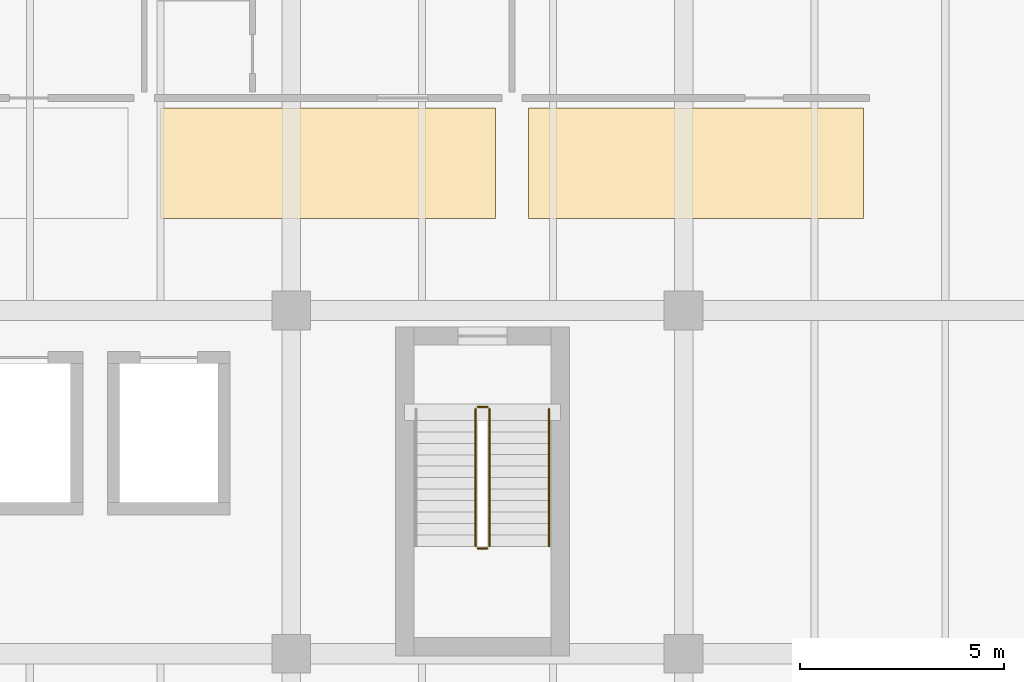
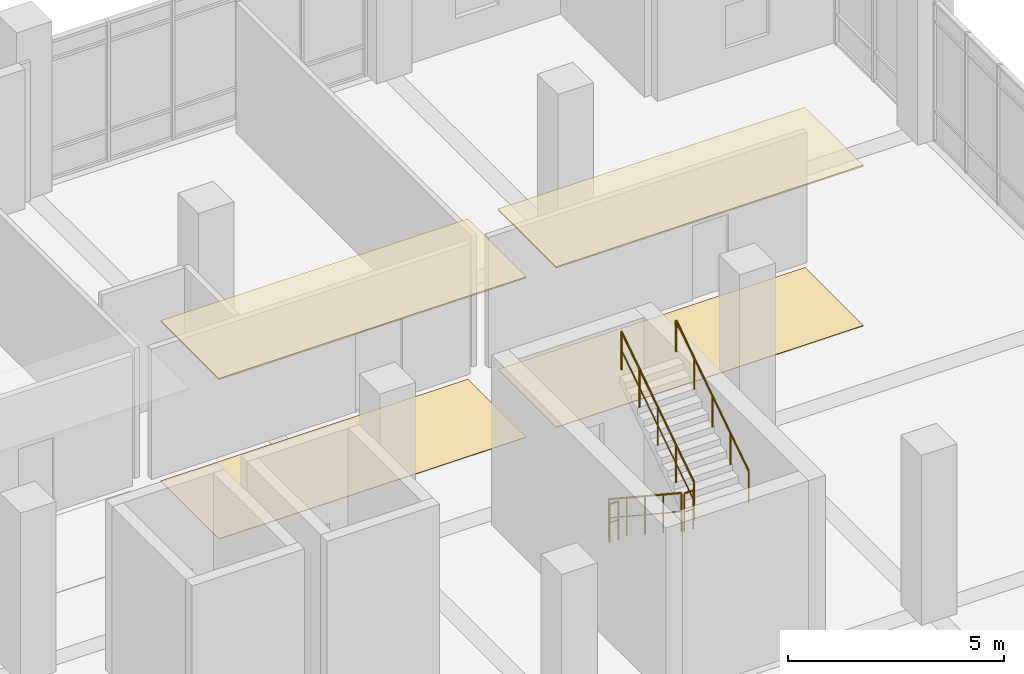
# One storey, part 151 of 152: 5 railings, 4 coverings.
"""IFC4 building model written with IfcOpenShell, lengths in metres."""

from ifc_helpers import new_model, si_unit, direction, frame, origin, origin_2d, place, context, subcontext, project, spatial, polyline, circle, outline, extrude, material, layer, layer_set, type_object, element, save


model = new_model("IFC4")

# Units and contexts
model_context = context("Model", 3, precision=1e-05, world=origin(), true_north=direction((0.0, 1.0)))
body_context = subcontext(model_context, "Body", "Model", "MODEL_VIEW")
ifc_project = project(units=[si_unit("LENGTHUNIT", "METRE"), si_unit("AREAUNIT", "SQUARE_METRE"), si_unit("VOLUMEUNIT", "CUBIC_METRE"), si_unit("PLANEANGLEUNIT", "RADIAN"), si_unit("MASSUNIT", "GRAM", prefix="KILO")], contexts=[model_context])

# Site, building, storey
site_placement = place(None, origin())
site = spatial("IfcSite", under=ifc_project, at=site_placement, CompositionType="ELEMENT")
building_placement = place(site_placement, origin())
building = spatial("IfcBuilding", under=site, at=building_placement, Name="Oolite Switchyard Hospital", CompositionType="ELEMENT")
storey_placement = place(building_placement, frame((0.0, 0.0, 5.10009765625)))
storey = spatial("IfcBuildingStorey", under=building, at=storey_placement, Name="L01", CompositionType="ELEMENT", Elevation=5.10009765625)

# Coverings
ifc_material_1 = material(Name="Hygienic washable mineral-fibre acoustic ceiling")
ifc_layer_1 = layer(ifc_material_1, 0.0400390625)
ifc_layer_set_1 = layer_set([ifc_layer_1], Name="COV-CEIL-AC60")
covering_type_1 = type_object("IfcCoveringType", Name="COV-CEIL-AC60", PredefinedType="CEILING", material=ifc_layer_set_1)
covering_1_placement = place(storey_placement, frame((0.0, 0.0, 4.5)))
element("IfcCovering", 1, at=covering_1_placement, inside=storey, type_object=covering_type_1, Name="L01 East Ambulatory Surgery Ward Corridor Ceiling 7", PredefinedType="CEILING", context=body_context, shape_type="SweptSolid", body=[
    extrude(outline(polyline([(188.800048828125, 119.85009765625), (197.0, 119.85009765625), (197.0, 122.550048828125), (188.800048828125, 122.550048828125), (188.800048828125, 119.85009765625)])), origin(), (0.0, 0.0, 1.0), 0.039794921875),
])
covering_2_placement = place(storey_placement, frame((0.0, 0.0, 4.5)))
element("IfcCovering", 2, at=covering_2_placement, inside=storey, type_object=covering_type_1, Name="L01 East Ambulatory Surgery Ward Corridor Ceiling 8", PredefinedType="CEILING", context=body_context, shape_type="SweptSolid", body=[
    extrude(outline(polyline([(197.800048828125, 119.85009765625), (206.0, 119.85009765625), (206.0, 122.550048828125), (197.800048828125, 122.550048828125), (197.800048828125, 119.85009765625)])), origin(), (0.0, 0.0, 1.0), 0.039794921875),
])
ifc_material_2 = material(Name="Conductive homogeneous sheet vinyl flooring")
ifc_layer_2 = layer(ifc_material_2, 0.014892578125)
ifc_layer_set_2 = layer_set([ifc_layer_2], Name="COV-FLR-ESD15")
covering_type_2 = type_object("IfcCoveringType", Name="COV-FLR-ESD15", PredefinedType="FLOORING", material=ifc_layer_set_2)
covering_3_placement = place(storey_placement, origin())
element("IfcCovering", 3, at=covering_3_placement, inside=storey, type_object=covering_type_2, Name="L01 East Ambulatory Surgery Ward Corridor Flooring 7", PredefinedType="FLOORING", context=body_context, shape_type="SweptSolid", body=[
    extrude(outline(polyline([(188.800048828125, 119.85009765625), (197.0, 119.85009765625), (197.0, 122.550048828125), (188.800048828125, 122.550048828125), (188.800048828125, 119.85009765625)])), origin(), (0.0, 0.0, 1.0), 0.014892578125),
])
covering_4_placement = place(storey_placement, origin())
element("IfcCovering", 4, at=covering_4_placement, inside=storey, type_object=covering_type_2, Name="L01 East Ambulatory Surgery Ward Corridor Flooring 8", PredefinedType="FLOORING", context=body_context, shape_type="SweptSolid", body=[
    extrude(outline(polyline([(197.800048828125, 119.85009765625), (206.0, 119.85009765625), (206.0, 122.550048828125), (197.800048828125, 122.550048828125), (197.800048828125, 119.85009765625)])), origin(), (0.0, 0.0, 1.0), 0.014892578125),
])

# Railings
ifc_material_3 = material(Name="Galvanized painted architectural steel handrail", Category="steel")
railing_type_1 = type_object("IfcRailingType", Name="RL-STAIR-GRD", PredefinedType="GUARDRAIL", material=ifc_material_3)
railing_1_placement = place(storey_placement, frame((196.510009765625, 115.18994140625, 0.1845703125)))
element("IfcRailing", 5, at=railing_1_placement, inside=storey, type_object=railing_type_1, Name="L01 ST-04 stair guard 1", PredefinedType="GUARDRAIL", context=body_context, shape_type="SweptSolid", body=[
    extrude(circle(Radius=0.02392578125, at=origin_2d()), frame((0.0, 0.0, 1.076171875), z_axis=(0.0, -0.834858096282, 0.550465220583), x_axis=(1.0, 0.0, 0.0)), (0.0, 0.0, 1.0), 4.0244140625),
    extrude(circle(Radius=0.015625, at=origin_2d()), frame((0.0, 0.0, 0.550048828125), z_axis=(0.0, -0.834858096282, 0.550465220583), x_axis=(1.0, 0.0, 0.0)), (0.0, 0.0, 1.0), 4.0244140625),
    extrude(circle(Radius=0.02099609375, at=origin_2d()), origin(), (0.0, 0.0, 1.0), 1.052001953125),
    extrude(circle(Radius=0.02099609375, at=origin_2d()), frame((0.0, -0.83984375, 0.5537109375)), (0.0, 0.0, 1.0), 1.052001953125),
    extrude(circle(Radius=0.02099609375, at=origin_2d()), frame((0.0, -1.679931640625, 1.107666015625)), (0.0, 0.0, 1.0), 1.052001953125),
    extrude(circle(Radius=0.02099609375, at=origin_2d()), frame((0.0, -2.52001953125, 1.66162109375)), (0.0, 0.0, 1.0), 1.052001953125),
    extrude(circle(Radius=0.02099609375, at=origin_2d()), frame((0.0, -3.35986328125, 2.21533203125)), (0.0, 0.0, 1.0), 1.052001953125),
])
railing_2_placement = place(storey_placement, frame((196.56005859375, 111.780029296875, 2.39990234375)))
element("IfcRailing", 6, at=railing_2_placement, inside=storey, type_object=railing_type_1, Name="L01 ST-04 stair guard 2", PredefinedType="GUARDRAIL", context=body_context, shape_type="SweptSolid", body=[
    extrude(circle(Radius=0.02392578125, at=origin_2d()), frame((0.0, 0.0, 1.076171875), z_axis=(1.0, 0.0, 0.0), x_axis=(0.0, 1.0, 0.0)), (0.0, 0.0, 1.0), 0.239990234375),
    extrude(circle(Radius=0.015625, at=origin_2d()), frame((0.0, 0.0, 0.550048828125), z_axis=(1.0, 0.0, 0.0), x_axis=(0.0, 1.0, 0.0)), (0.0, 0.0, 1.0), 0.239990234375),
    extrude(circle(Radius=0.02099609375, at=origin_2d()), origin(), (0.0, 0.0, 1.0), 1.052001953125),
    extrude(circle(Radius=0.02099609375, at=origin_2d()), frame((0.239990234375, 0.0, 0.0)), (0.0, 0.0, 1.0), 1.052001953125),
])
railing_3_placement = place(storey_placement, frame((196.85009765625, 111.830078125, 2.58447265625)))
element("IfcRailing", 7, at=railing_3_placement, inside=storey, type_object=railing_type_1, Name="L01 ST-04 stair guard 3", PredefinedType="GUARDRAIL", context=body_context, shape_type="SweptSolid", body=[
    extrude(circle(Radius=0.02392578125, at=origin_2d()), frame((0.0, 0.0, 1.076171875), z_axis=(0.0, 0.834858096282, 0.550465220583), x_axis=(-1.0, 0.0, 0.0)), (0.0, 0.0, 1.0), 4.0244140625),
    extrude(circle(Radius=0.015625, at=origin_2d()), frame((0.0, 0.0, 0.550048828125), z_axis=(0.0, 0.834858096282, 0.550465220583), x_axis=(-1.0, 0.0, 0.0)), (0.0, 0.0, 1.0), 4.0244140625),
    extrude(circle(Radius=0.02099609375, at=origin_2d()), origin(), (0.0, 0.0, 1.0), 1.052001953125),
    extrude(circle(Radius=0.02099609375, at=origin_2d()), frame((0.0, 0.83984375, 0.5537109375)), (0.0, 0.0, 1.0), 1.052001953125),
    extrude(circle(Radius=0.02099609375, at=origin_2d()), frame((0.0, 1.679931640625, 1.107666015625)), (0.0, 0.0, 1.0), 1.052001953125),
    extrude(circle(Radius=0.02099609375, at=origin_2d()), frame((0.0, 2.52001953125, 1.66162109375)), (0.0, 0.0, 1.0), 1.052001953125),
    extrude(circle(Radius=0.02099609375, at=origin_2d()), frame((0.0, 3.35986328125, 2.21533203125)), (0.0, 0.0, 1.0), 1.052001953125),
])
railing_4_placement = place(storey_placement, frame((196.56005859375, 115.239990234375, 0.0)))
element("IfcRailing", 8, at=railing_4_placement, inside=storey, type_object=railing_type_1, Name="L01 ST-04 stair guard 4", PredefinedType="GUARDRAIL", context=body_context, shape_type="SweptSolid", body=[
    extrude(circle(Radius=0.02392578125, at=origin_2d()), frame((0.0, 0.0, 1.076171875), z_axis=(1.0, 0.0, 0.0), x_axis=(0.0, 1.0, 0.0)), (0.0, 0.0, 1.0), 0.239990234375),
    extrude(circle(Radius=0.015625, at=origin_2d()), frame((0.0, 0.0, 0.550048828125), z_axis=(1.0, 0.0, 0.0), x_axis=(0.0, 1.0, 0.0)), (0.0, 0.0, 1.0), 0.239990234375),
    extrude(circle(Radius=0.02099609375, at=origin_2d()), origin(), (0.0, 0.0, 1.0), 1.052001953125),
    extrude(circle(Radius=0.02099609375, at=origin_2d()), frame((0.239990234375, 0.0, 0.0)), (0.0, 0.0, 1.0), 1.052001953125),
])
railing_type_2 = type_object("IfcRailingType", Name="RL-STAIR-HND", PredefinedType="HANDRAIL", material=ifc_material_3)
railing_5_placement = place(storey_placement, frame((198.31005859375, 111.830078125, 2.58447265625)))
element("IfcRailing", 9, at=railing_5_placement, inside=storey, type_object=railing_type_2, Name="L01 ST-04 stair handrail 2", PredefinedType="HANDRAIL", context=body_context, shape_type="SweptSolid", body=[
    extrude(circle(Radius=0.02392578125, at=origin_2d()), frame((0.0, 0.0, 0.8759765625), z_axis=(0.0, 0.834858096282, 0.550465220583), x_axis=(-1.0, 0.0, 0.0)), (0.0, 0.0, 1.0), 4.0244140625),
    extrude(circle(Radius=0.02099609375, at=origin_2d()), origin(), (0.0, 0.0, 1.0), 0.851806640625),
    extrude(circle(Radius=0.02099609375, at=origin_2d()), frame((0.0, 0.83984375, 0.5537109375)), (0.0, 0.0, 1.0), 0.851806640625),
    extrude(circle(Radius=0.02099609375, at=origin_2d()), frame((0.0, 1.679931640625, 1.107666015625)), (0.0, 0.0, 1.0), 0.851806640625),
    extrude(circle(Radius=0.02099609375, at=origin_2d()), frame((0.0, 2.52001953125, 1.66162109375)), (0.0, 0.0, 1.0), 0.851806640625),
    extrude(circle(Radius=0.02099609375, at=origin_2d()), frame((0.0, 3.35986328125, 2.21533203125)), (0.0, 0.0, 1.0), 0.851806640625),
])

save(model, "model.ifc")
